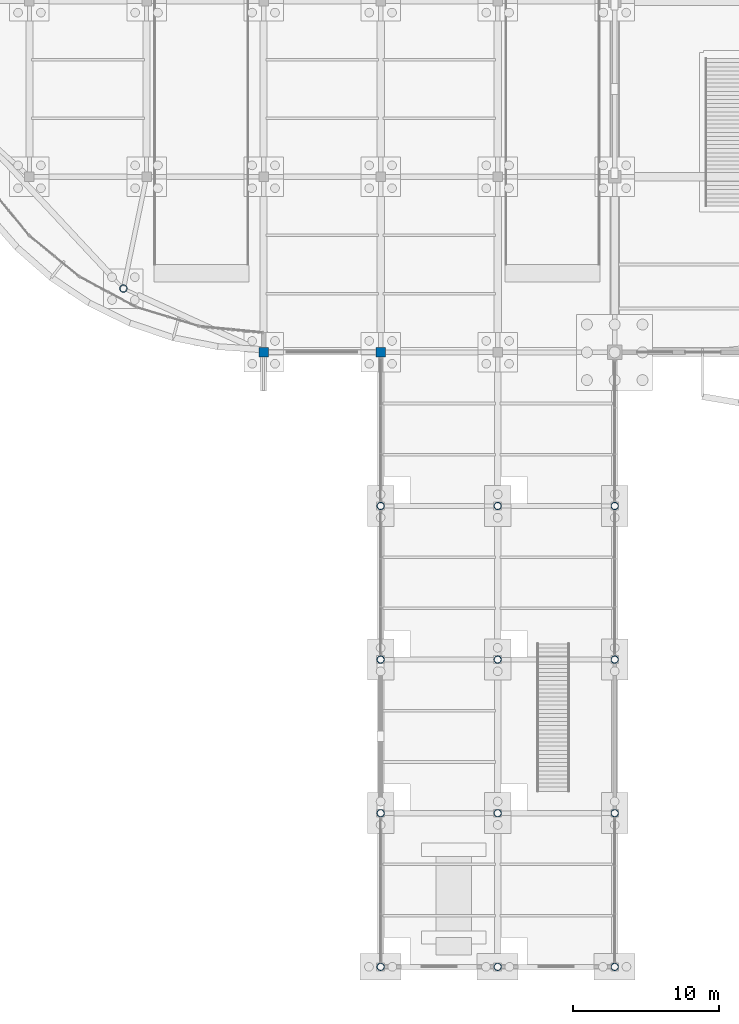
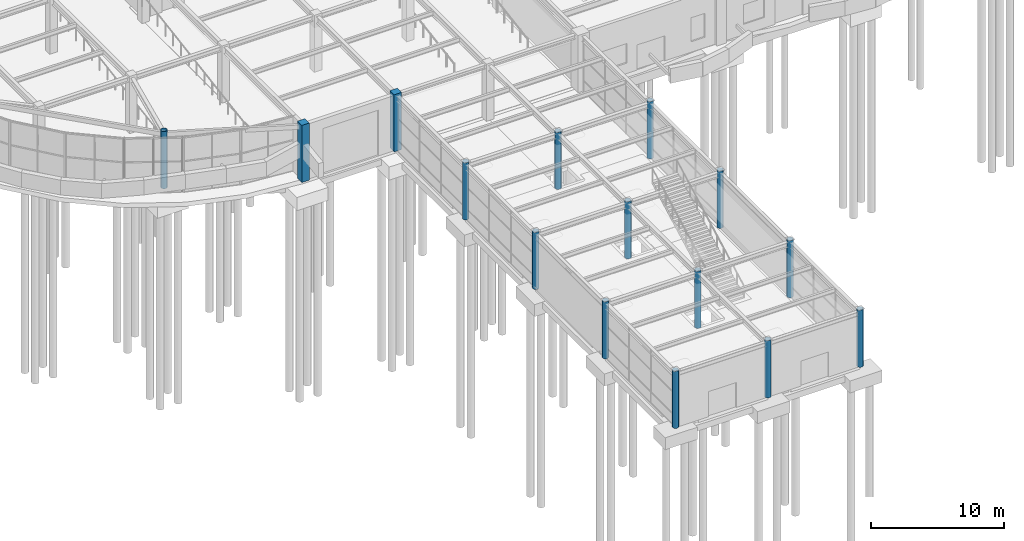
# One storey, part 11 of 85: 15 columns.
"""IFC4 building model written with IfcOpenShell, lengths in metres."""

from ifc_helpers import new_model, si_unit, direction, frame, origin, origin_2d, place, context, subcontext, project, spatial, rectangle, hollow_circle, extrude, material, material_profile, profile_set, type_object, element, save


model = new_model("IFC4")

# Units and contexts
model_context = context("Model", 3, precision=1e-05, world=origin(), true_north=direction((0.0, 1.0)))
body_context = subcontext(model_context, "Body", "Model", "MODEL_VIEW")
ifc_project = project(units=[si_unit("LENGTHUNIT", "METRE"), si_unit("AREAUNIT", "SQUARE_METRE"), si_unit("VOLUMEUNIT", "CUBIC_METRE"), si_unit("PLANEANGLEUNIT", "RADIAN"), si_unit("MASSUNIT", "GRAM", prefix="KILO")], contexts=[model_context])

# Site, building, storey
site_placement = place(None, origin())
site = spatial("IfcSite", under=ifc_project, at=site_placement, CompositionType="ELEMENT")
building_placement = place(site_placement, origin())
building = spatial("IfcBuilding", under=site, at=building_placement, Name="Keelwater Ferry Terminal", CompositionType="ELEMENT")
storey_placement = place(building_placement, origin())
storey = spatial("IfcBuildingStorey", under=building, at=storey_placement, Name="L00", CompositionType="ELEMENT", Elevation=0.0)

# Columns
ifc_material_1 = material(Name="Concrete C45/55", Category="concrete")
ifc_material_profile_1 = material_profile(ifc_material_1, rectangle(XDim=0.64990234375, YDim=0.64990234375, at=origin_2d()), Name="RC 650x650")
ifc_profile_set_1 = profile_set([ifc_material_profile_1], Name="Concrete C45/55")
column_type_1 = type_object("IfcColumnType", Name="C3 RC 650x650", PredefinedType="COLUMN", material=ifc_profile_set_1)
for number, where, z_axis, x_axis, name in (
    (1, (24.0, 42.0, 0.0), (0.0, 0.0, 1.0), (1.0, 0.0, 0.0), "Column CL-L00-0019"),
    (2, (32.0, 42.0, 0.0), (0.0, 0.0, 1.0), (1.0, 0.0, 0.0), "Column CL-L00-0044"),
):
    element("IfcColumn", number, at=place(storey_placement, frame(where, z_axis=z_axis, x_axis=x_axis)), inside=storey, type_object=column_type_1, Name=name, PredefinedType="COLUMN", context=body_context, shape_type="SweptSolid", body=[
        extrude(rectangle(XDim=0.64990234375, YDim=0.64990234375, at=origin_2d()), origin(), (0.0, 0.0, 1.0), 5.239990234375),
    ])
ifc_material_2 = material(Name="Steel S355", Category="steel")
ifc_material_profile_2 = material_profile(ifc_material_2, hollow_circle(Radius=0.25390625, WallThickness=0.02001953125, at=origin_2d()), Name="CHS 508x20")
ifc_profile_set_2 = profile_set([ifc_material_profile_2], Name="Steel S355")
column_type_2 = type_object("IfcColumnType", Name="C8E CHS 508x20", PredefinedType="COLUMN", material=ifc_profile_set_2)
for number, where, z_axis, x_axis, name in (
    (3, (32.0, 0.0, 0.0), (0.0, 0.0, 1.0), (1.0, 0.0, 0.0), "Column CL-L00-0036"),
    (4, (32.0, 10.5, 0.0), (0.0, 0.0, 1.0), (1.0, 0.0, 0.0), "Column CL-L00-0038"),
    (5, (32.0, 21.0, 0.0), (0.0, 0.0, 1.0), (1.0, 0.0, 0.0), "Column CL-L00-0040"),
    (6, (32.0, 31.5, 0.0), (0.0, 0.0, 1.0), (1.0, 0.0, 0.0), "Column CL-L00-0042"),
    (7, (40.0, 0.0, 0.0), (0.0, 0.0, 1.0), (1.0, 0.0, 0.0), "Column CL-L00-0061"),
    (8, (40.0, 10.5, 0.0), (0.0, 0.0, 1.0), (1.0, 0.0, 0.0), "Column CL-L00-0063"),
    (9, (40.0, 21.0, 0.0), (0.0, 0.0, 1.0), (1.0, 0.0, 0.0), "Column CL-L00-0065"),
    (10, (40.0, 31.5, 0.0), (0.0, 0.0, 1.0), (1.0, 0.0, 0.0), "Column CL-L00-0067"),
    (11, (48.0, 0.0, 0.0), (0.0, 0.0, 1.0), (1.0, 0.0, 0.0), "Column CL-L00-0086"),
    (12, (48.0, 10.5, 0.0), (0.0, 0.0, 1.0), (1.0, 0.0, 0.0), "Column CL-L00-0088"),
    (13, (48.0, 21.0, 0.0), (0.0, 0.0, 1.0), (1.0, 0.0, 0.0), "Column CL-L00-0090"),
    (14, (48.0, 31.5, 0.0), (0.0, 0.0, 1.0), (1.0, 0.0, 0.0), "Column CL-L00-0092"),
    (15, (14.422119140625, 46.361083984375, 0.0), (0.0, 0.0, 1.0), (1.0, 0.0, 0.0), "Column CL-L00-0539"),
):
    element("IfcColumn", number, at=place(storey_placement, frame(where, z_axis=z_axis, x_axis=x_axis)), inside=storey, type_object=column_type_2, Name=name, PredefinedType="COLUMN", context=body_context, shape_type="SweptSolid", body=[
        extrude(hollow_circle(Radius=0.25390625, WallThickness=0.02001953125, at=origin_2d()), origin(), (0.0, 0.0, 1.0), 5.239990234375),
    ])

save(model, "model.ifc")
